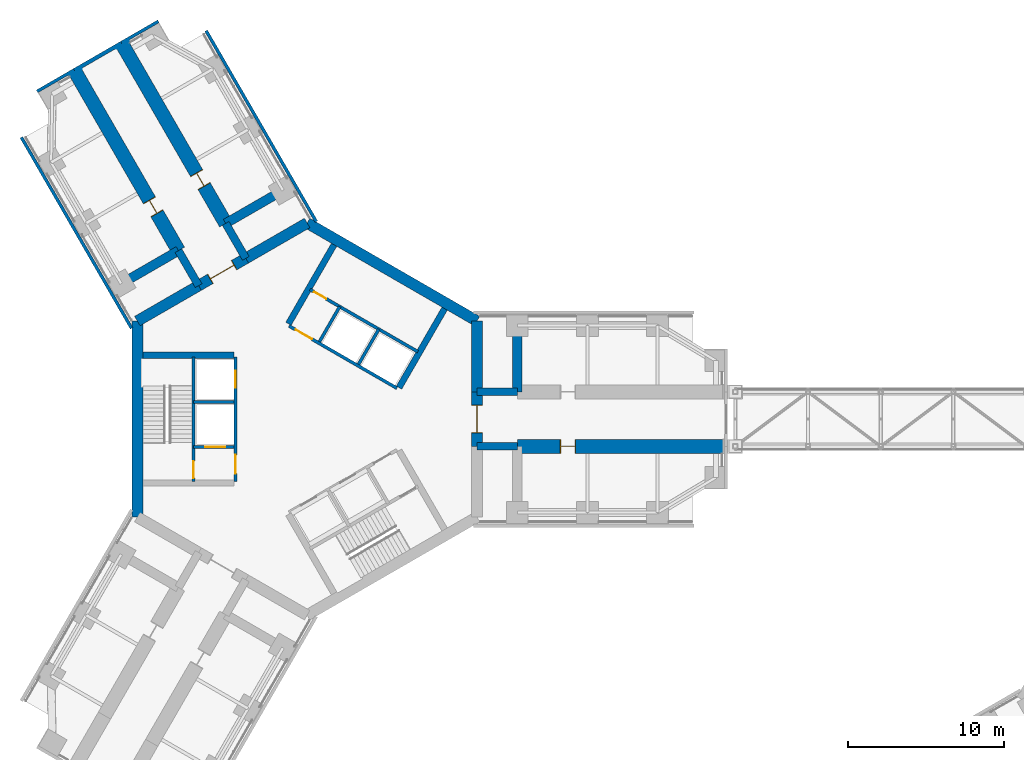
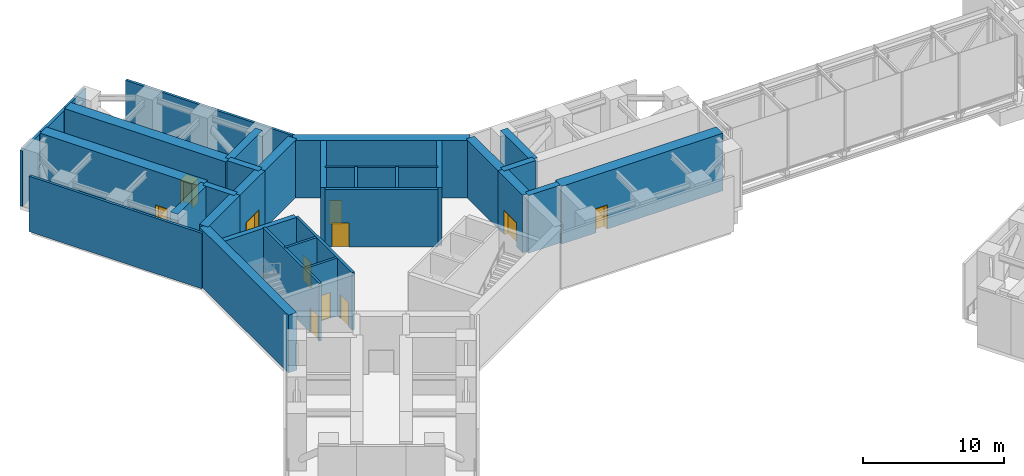
# One storey, part 9 of 17: 35 walls, 11 doors, 11 openings.
"""IFC4 building model written with IfcOpenShell, lengths in metres."""

from ifc_helpers import new_model, si_unit, direction, frame, frame_2d, origin, place, context, subcontext, project, spatial, rectangle, extrude, material, layer, layer_set, type_object, element, fill, save


model = new_model("IFC4")

# Units and contexts
model_context = context("Model", 3, precision=1e-05, world=origin(), true_north=direction((0.0, 1.0)))
body_context = subcontext(model_context, "Body", "Model", "MODEL_VIEW")
ifc_project = project(units=[si_unit("LENGTHUNIT", "METRE"), si_unit("AREAUNIT", "SQUARE_METRE"), si_unit("VOLUMEUNIT", "CUBIC_METRE"), si_unit("PLANEANGLEUNIT", "RADIAN"), si_unit("MASSUNIT", "GRAM", prefix="KILO")], contexts=[model_context])

# Site, building, storey
site_placement = place(None, origin())
site = spatial("IfcSite", under=ifc_project, at=site_placement, CompositionType="ELEMENT")
building_placement = place(site_placement, origin())
building = spatial("IfcBuilding", under=site, at=building_placement, Name="Upepo Twin Towers", CompositionType="ELEMENT")
storey_placement = place(building_placement, frame((0.0, 0.0, 92.5)))
storey = spatial("IfcBuildingStorey", under=building, at=storey_placement, Name="L22", CompositionType="ELEMENT", Elevation=92.5)

# Walls
ifc_material_1 = material(Name="Precast concrete breeze blocks", Category="concrete")
ifc_layer_1 = layer(ifc_material_1, 0.199951171875)
ifc_layer_set_1 = layer_set([ifc_layer_1], Name="Breeze-block screen wall 200")
wall_type_1 = type_object("IfcWallType", Name="Breeze-block screen wall 200", PredefinedType="USERDEFINED", material=ifc_layer_set_1)
for number, where, z_axis, x_axis, name in (
    (1, (-11.27587890625, 5.830322265625, 0.0), (0.0, 0.0, 1.0), (-0.49999353342, 0.866029137234, 0.0), "T1 L22 wing B screen L"),
    (2, (-6.49267578125, 24.94580078125, 0.0), (0.0, 0.0, 1.0), (0.49999353342, -0.866029137234, 0.0), "T1 L22 wing B screen R"),
):
    element("IfcWall", number, at=place(storey_placement, frame(where, z_axis=z_axis, x_axis=x_axis)), inside=storey, type_object=wall_type_1, Name=name, ObjectType="SCREEN", PredefinedType="USERDEFINED", context=body_context, shape_type="SweptSolid", body=[
        extrude(rectangle(XDim=14.162841796875, YDim=0.199951171875, at=frame_2d((7.08154296875, 0.0))), origin(), (0.0, 0.0, 1.0), 4.800048828125),
    ])
for number, where, z_axis, x_axis, name in (
    (3, (-9.552978515625, 25.546142578125, 0.0), (0.0, 0.0, 1.0), (-0.866027397988, -0.499996545922, 0.0), "T1 L22 wing B nose screen 0"),
    (4, (-14.965576171875, 22.421142578125, 0.0), (0.0, 0.0, 1.0), (-0.866027397988, -0.499996545922, 0.0), "T1 L22 wing B nose screen 2"),
):
    element("IfcWall", number, at=place(storey_placement, frame(where, z_axis=z_axis, x_axis=x_axis)), inside=storey, type_object=wall_type_1, Name=name, ObjectType="SCREEN", PredefinedType="USERDEFINED", context=body_context, shape_type="SweptSolid", body=[
        extrude(rectangle(XDim=2.75, YDim=0.199951171875, at=frame_2d((1.375, 0.0))), origin(), (0.0, 0.0, 1.0), 4.800048828125),
    ])
ifc_material_2 = material(Name="Dense concrete blockwork", Category="masonry")
ifc_layer_2 = layer(ifc_material_2, 0.89990234375)
ifc_layer_set_2 = layer_set([ifc_layer_2], Name="Buttress closer 900, blockwork with fire-stopping to the curtain wall")
wall_type_2 = type_object("IfcWallType", Name="Buttress closer 900, blockwork with fire-stopping to the curtain wall", PredefinedType="PARTITIONING", material=ifc_layer_set_2)
wall_1_placement = place(storey_placement, frame((-14.865478515625, 22.247802734375, 0.0), z_axis=(0.0, 0.0, 1.0), x_axis=(-0.500844580232, 0.86553723574, 0.0)))
element("IfcWall", 5, at=wall_1_placement, inside=storey, type_object=wall_type_2, Name="T1 L22 wing B buttress closer L", PredefinedType="PARTITIONING", context=body_context, shape_type="SweptSolid", body=[
    extrude(rectangle(XDim=0.05029296875, YDim=0.89990234375, at=frame_2d((0.025146484375, 0.0))), origin(), (0.0, 0.0, 1.0), 4.800048828125),
])
wall_2_placement = place(storey_placement, frame((-11.83447265625, 23.997802734375, 0.0), z_axis=(0.0, 0.0, 1.0), x_axis=(-0.497188445666, 0.867642581652, 0.0)))
element("IfcWall", 6, at=wall_2_placement, inside=storey, type_object=wall_type_2, Name="T1 L22 wing B buttress closer R", PredefinedType="PARTITIONING", context=body_context, shape_type="SweptSolid", body=[
    extrude(rectangle(XDim=0.050048828125, YDim=0.89990234375, at=frame_2d((0.02490234375, 0.0))), origin(), (0.0, 0.0, 1.0), 4.800048828125),
])
ifc_material_3 = material(Name="Concrete C60/75", Category="concrete")
ifc_layer_3 = layer(ifc_material_3, 0.5)
ifc_layer_set_3 = layer_set([ifc_layer_3], Name="Concrete C60/75")
wall_type_3 = type_object("IfcWallType", Name="Buttress wall 500 RC", PredefinedType="SHEAR", material=ifc_layer_set_3)
for number, where, z_axis, x_axis, name in (
    (7, (10.908447265625, 1.75, 0.0), (0.0, 0.0, 1.0), (1.0, 0.0, 0.0), "T1 wing A buttress wall L"),
    (8, (10.908447265625, -1.75, 0.0), (0.0, 0.0, 1.0), (1.0, 0.0, 0.0), "T1 wing A buttress wall R"),
):
    element("IfcWall", number, at=place(storey_placement, frame(where, z_axis=z_axis, x_axis=x_axis)), inside=storey, type_object=wall_type_3, Name=name, PredefinedType="SHEAR", context=body_context, shape_type="SweptSolid", body=[
        extrude(rectangle(XDim=2.591552734375, YDim=0.5, at=frame_2d((1.2958984375, 0.0))), origin(), (0.0, 0.0, 1.0), 5.0),
    ])
for number, where, z_axis, x_axis, name in (
    (9, (-6.9697265625, 8.57177734375, 0.0), (0.0, 0.0, 1.0), (-0.499988811324, 0.866031863473, 0.0), "T1 wing B buttress wall L"),
    (10, (-3.938720703125, 10.32177734375, 0.0), (0.0, 0.0, 1.0), (-0.499918158782, 0.866072649678, 0.0), "T1 wing B buttress wall R"),
):
    element("IfcWall", number, at=place(storey_placement, frame(where, z_axis=z_axis, x_axis=x_axis)), inside=storey, type_object=wall_type_3, Name=name, PredefinedType="SHEAR", context=body_context, shape_type="SweptSolid", body=[
        extrude(rectangle(XDim=2.591796875, YDim=0.5, at=frame_2d((1.2958984375, 0.0))), origin(), (0.0, 0.0, 1.0), 5.0),
    ])

# Wall, opening, door
ifc_material_4 = material(Name="Concrete C60/75", Category="concrete")
ifc_layer_4 = layer(ifc_material_4, 0.89990234375)
ifc_layer_set_4 = layer_set([ifc_layer_4], Name="Concrete C60/75")
wall_type_4 = type_object("IfcWallType", Name="Buttress wall 900 RC", PredefinedType="SHEAR", material=ifc_layer_set_4)
wall_3_placement = place(storey_placement, frame((13.5, -1.75, 0.0), z_axis=(0.0, 0.0, 1.0), x_axis=(1.0, 0.0, 0.0)))
wall_3 = element("IfcWall", 11, at=wall_3_placement, inside=storey, type_object=wall_type_4, Name="T1 wing A buttress wall R part 2", PredefinedType="SHEAR", context=body_context, shape_type="SweptSolid", body=[
    extrude(rectangle(XDim=13.199951171875, YDim=0.89990234375, at=frame_2d((6.60009765625, 0.0))), origin(), (0.0, 0.0, 1.0), 5.0),
])
opening_1_placement = place(wall_3_placement, frame((2.75, 0.0, 0.0)))
opening_1 = element("IfcOpeningElement", 12, at=opening_1_placement, cuts=wall_3, Name="Opening D1", PredefinedType="OPENING", context=body_context, shape_type="SweptSolid", body=[
    extrude(rectangle(XDim=1.0, YDim=2.10009765625, at=frame_2d((0.5, 1.050048828125))), frame((0.0, 0.4599609375, 0.0), z_axis=(0.0, -1.0, 0.0), x_axis=(1.0, 0.0, 0.0)), (0.0, 0.0, 1.0), 0.919921875),
])
ifc_material_5 = material(Name="Timber doorset", Category="wood")
door_type_1 = type_object("IfcDoorType", Name="Room door 1000 FD30", OperationType="SINGLE_SWING_LEFT", PredefinedType="DOOR", material=ifc_material_5)
door_1_placement = place(opening_1_placement, origin())
door_1 = element("IfcDoor", 13, at=door_1_placement, inside=storey, type_object=door_type_1, Name="T1 L22 air-handling plant room door", OperationType="SINGLE_SWING_LEFT", OverallHeight=2.10009765625, OverallWidth=1.0, PredefinedType="DOOR", context=body_context, shape_type="SweptSolid", body=[
    extrude(rectangle(XDim=0.92, YDim=2.06009765625, at=frame_2d((0.5, 1.030029296875))), frame((0.0, 0.02490234375, 0.0), z_axis=(0.0, -1.0, 0.0), x_axis=(1.0, 0.0, 0.0)), (0.0, 0.0, 1.0), 0.050048828125),
    extrude(rectangle(XDim=0.04, YDim=2.10009765625, at=frame_2d((0.02001953125, 1.050048828125))), frame((0.0, 0.44970703125, 0.0), z_axis=(0.0, -1.0, 0.0), x_axis=(1.0, 0.0, 0.0)), (0.0, 0.0, 1.0), 0.8994140625),
    extrude(rectangle(XDim=0.04, YDim=2.10009765625, at=frame_2d((0.97998046875, 1.050048828125))), frame((0.0, 0.44970703125, 0.0), z_axis=(0.0, -1.0, 0.0), x_axis=(1.0, 0.0, 0.0)), (0.0, 0.0, 1.0), 0.8994140625),
    extrude(rectangle(XDim=0.92, YDim=0.04, at=frame_2d((0.5, 2.080078125))), frame((0.0, 0.44970703125, 0.0), z_axis=(0.0, -1.0, 0.0), x_axis=(1.0, 0.0, 0.0)), (0.0, 0.0, 1.0), 0.8994140625),
])
fill(opening_1, door_1)

wall_4_placement = place(storey_placement, frame((-8.265625, 10.81640625, 0.0), z_axis=(0.0, 0.0, 1.0), x_axis=(-0.499996231654, 0.866027579429, 0.0)))
wall_4 = element("IfcWall", 14, at=wall_4_placement, inside=storey, type_object=wall_type_4, Name="T1 wing B buttress wall L part 2", PredefinedType="SHEAR", context=body_context, shape_type="SweptSolid", body=[
    extrude(rectangle(XDim=13.19970703125, YDim=0.89990234375, at=frame_2d((6.599853515625, 0.0))), origin(), (0.0, 0.0, 1.0), 5.0),
])
opening_2_placement = place(wall_4_placement, frame((2.75, 0.0, 0.0)))
opening_2 = element("IfcOpeningElement", 15, at=opening_2_placement, cuts=wall_4, Name="Opening D1", PredefinedType="OPENING", context=body_context, shape_type="SweptSolid", body=[
    extrude(rectangle(XDim=1.0, YDim=2.10009765625, at=frame_2d((0.5, 1.050048828125))), frame((0.0, 0.4599609375, 0.0), z_axis=(0.0, -1.0, 0.0), x_axis=(1.0, 0.0, 0.0)), (0.0, 0.0, 1.0), 0.919921875),
])
door_2_placement = place(opening_2_placement, origin())
door_2 = element("IfcDoor", 16, at=door_2_placement, inside=storey, type_object=door_type_1, Name="T1 L22 refuge area door", OperationType="SINGLE_SWING_LEFT", OverallHeight=2.10009765625, OverallWidth=1.0, PredefinedType="DOOR", context=body_context, shape_type="SweptSolid", body=[
    extrude(rectangle(XDim=0.92, YDim=2.06009765625, at=frame_2d((0.5, 1.030029296875))), frame((0.0, 0.02490234375, 0.0), z_axis=(0.0, -1.0, 0.0), x_axis=(1.0, 0.0, 0.0)), (0.0, 0.0, 1.0), 0.050048828125),
    extrude(rectangle(XDim=0.04, YDim=2.10009765625, at=frame_2d((0.02001953125, 1.050048828125))), frame((0.0, 0.44970703125, 0.0), z_axis=(0.0, -1.0, 0.0), x_axis=(1.0, 0.0, 0.0)), (0.0, 0.0, 1.0), 0.8994140625),
    extrude(rectangle(XDim=0.04, YDim=2.10009765625, at=frame_2d((0.97998046875, 1.050048828125))), frame((0.0, 0.44970703125, 0.0), z_axis=(0.0, -1.0, 0.0), x_axis=(1.0, 0.0, 0.0)), (0.0, 0.0, 1.0), 0.8994140625),
    extrude(rectangle(XDim=0.92, YDim=0.04, at=frame_2d((0.5, 2.080078125))), frame((0.0, 0.44970703125, 0.0), z_axis=(0.0, -1.0, 0.0), x_axis=(1.0, 0.0, 0.0)), (0.0, 0.0, 1.0), 0.8994140625),
])
fill(opening_2, door_2)

wall_5_placement = place(storey_placement, frame((-5.234375, 12.56640625, 0.0), z_axis=(0.0, 0.0, 1.0), x_axis=(-0.500010103361, 0.866019570528, 0.0)))
wall_5 = element("IfcWall", 17, at=wall_5_placement, inside=storey, type_object=wall_type_4, Name="T1 wing B buttress wall R part 2", PredefinedType="SHEAR", context=body_context, shape_type="SweptSolid", body=[
    extrude(rectangle(XDim=13.199951171875, YDim=0.89990234375, at=frame_2d((6.60009765625, 0.0))), origin(), (0.0, 0.0, 1.0), 5.0),
])
opening_3_placement = place(wall_5_placement, frame((2.75, 0.0, 0.0)))
opening_3 = element("IfcOpeningElement", 18, at=opening_3_placement, cuts=wall_5, Name="Opening D1", PredefinedType="OPENING", context=body_context, shape_type="SweptSolid", body=[
    extrude(rectangle(XDim=1.0, YDim=2.10009765625, at=frame_2d((0.5, 1.050048828125))), frame((0.0, 0.4599609375, 0.0), z_axis=(0.0, -1.0, 0.0), x_axis=(1.0, 0.0, 0.0)), (0.0, 0.0, 1.0), 0.919921875),
])
door_3_placement = place(opening_3_placement, origin())
door_3 = element("IfcDoor", 19, at=door_3_placement, inside=storey, type_object=door_type_1, Name="T1 L22 booster pump plant room door", OperationType="SINGLE_SWING_LEFT", OverallHeight=2.10009765625, OverallWidth=1.0, PredefinedType="DOOR", context=body_context, shape_type="SweptSolid", body=[
    extrude(rectangle(XDim=0.92, YDim=2.06009765625, at=frame_2d((0.5, 1.030029296875))), frame((0.0, 0.02490234375, 0.0), z_axis=(0.0, -1.0, 0.0), x_axis=(1.0, 0.0, 0.0)), (0.0, 0.0, 1.0), 0.050048828125),
    extrude(rectangle(XDim=0.04, YDim=2.10009765625, at=frame_2d((0.02001953125, 1.050048828125))), frame((0.0, 0.44970703125, 0.0), z_axis=(0.0, -1.0, 0.0), x_axis=(1.0, 0.0, 0.0)), (0.0, 0.0, 1.0), 0.8994140625),
    extrude(rectangle(XDim=0.04, YDim=2.10009765625, at=frame_2d((0.97998046875, 1.050048828125))), frame((0.0, 0.44970703125, 0.0), z_axis=(0.0, -1.0, 0.0), x_axis=(1.0, 0.0, 0.0)), (0.0, 0.0, 1.0), 0.8994140625),
    extrude(rectangle(XDim=0.92, YDim=0.04, at=frame_2d((0.5, 2.080078125))), frame((0.0, 0.44970703125, 0.0), z_axis=(0.0, -1.0, 0.0), x_axis=(1.0, 0.0, 0.0)), (0.0, 0.0, 1.0), 0.8994140625),
])
fill(opening_3, door_3)

ifc_material_6 = material(Name="Concrete C60/75", Category="concrete")
ifc_layer_5 = layer(ifc_material_6, 0.699951171875)
ifc_layer_set_5 = layer_set([ifc_layer_5], Name="Concrete C60/75")
wall_type_5 = type_object("IfcWallType", Name="Core wall 700 RC", PredefinedType="SHEAR", material=ifc_layer_set_5)
wall_6_placement = place(storey_placement, frame((10.908447265625, -1.75, 0.0), z_axis=(0.0, 0.0, 1.0), x_axis=(0.0, 1.0, 0.0)))
wall_6 = element("IfcWall", 20, at=wall_6_placement, inside=storey, type_object=wall_type_5, Name="T1 core wall 000", PredefinedType="SHEAR", context=body_context, shape_type="SweptSolid", body=[
    extrude(rectangle(XDim=3.5, YDim=0.699951171875, at=frame_2d((1.75, 0.0))), origin(), (0.0, 0.0, 1.0), 5.0),
])
opening_4_placement = place(wall_6_placement, frame((0.85009765625, 0.0, 0.0)))
opening_4 = element("IfcOpeningElement", 21, at=opening_4_placement, cuts=wall_6, Name="Opening D2", PredefinedType="OPENING", context=body_context, shape_type="SweptSolid", body=[
    extrude(rectangle(XDim=1.800048828125, YDim=2.10009765625, at=frame_2d((0.89990234375, 1.050048828125))), frame((0.0, 0.35986328125, 0.0), z_axis=(0.0, -1.0, 0.0), x_axis=(1.0, 0.0, 0.0)), (0.0, 0.0, 1.0), 0.719970703125),
])
ifc_material_7 = material(Name="Timber doorset", Category="wood")
door_type_2 = type_object("IfcDoorType", Name="Corridor double door 1800 FD60", OperationType="DOUBLE_DOOR_DOUBLE_SWING", PredefinedType="DOOR", material=ifc_material_7)
door_4_placement = place(opening_4_placement, origin())
door_4 = element("IfcDoor", 22, at=door_4_placement, inside=storey, type_object=door_type_2, Name="T1 L22 wing A corridor door", OperationType="DOUBLE_DOOR_DOUBLE_SWING", OverallHeight=2.10009765625, OverallWidth=1.800048828125, PredefinedType="DOOR", context=body_context, shape_type="SweptSolid", body=[
    extrude(rectangle(XDim=1.720048828125, YDim=2.06009765625, at=frame_2d((0.89990234375, 1.030029296875))), frame((0.0, 0.02490234375, 0.0), z_axis=(0.0, -1.0, 0.0), x_axis=(1.0, 0.0, 0.0)), (0.0, 0.0, 1.0), 0.050048828125),
    extrude(rectangle(XDim=0.04, YDim=2.10009765625, at=frame_2d((0.02001953125, 1.050048828125))), frame((0.0, 0.349609375, 0.0), z_axis=(0.0, -1.0, 0.0), x_axis=(1.0, 0.0, 0.0)), (0.0, 0.0, 1.0), 0.699462890625),
    extrude(rectangle(XDim=0.04, YDim=2.10009765625, at=frame_2d((1.780029296875, 1.050048828125))), frame((0.0, 0.349609375, 0.0), z_axis=(0.0, -1.0, 0.0), x_axis=(1.0, 0.0, 0.0)), (0.0, 0.0, 1.0), 0.699462890625),
    extrude(rectangle(XDim=1.720048828125, YDim=0.04, at=frame_2d((0.89990234375, 2.080078125))), frame((0.0, 0.349609375, 0.0), z_axis=(0.0, -1.0, 0.0), x_axis=(1.0, 0.0, 0.0)), (0.0, 0.0, 1.0), 0.699462890625),
])
fill(opening_4, door_4)

# Walls
wall_7_placement = place(storey_placement, frame((10.908447265625, 1.75, 0.0), z_axis=(0.0, 0.0, 1.0), x_axis=(0.0, 1.0, 0.0)))
element("IfcWall", 23, at=wall_7_placement, inside=storey, type_object=wall_type_5, Name="T1 core wall 000 L", PredefinedType="SHEAR", context=body_context, shape_type="SweptSolid", body=[
    extrude(rectangle(XDim=4.5478515625, YDim=0.699951171875, at=frame_2d((2.27392578125, 0.0))), origin(), (0.0, 0.0, 1.0), 5.0),
])
wall_8_placement = place(storey_placement, frame((10.908447265625, 6.2978515625, 0.0), z_axis=(0.0, 0.0, 1.0), x_axis=(-0.866021940709, 0.500005998175, 0.0)))
element("IfcWall", 24, at=wall_8_placement, inside=storey, type_object=wall_type_5, Name="T1 core wall 060", PredefinedType="SHEAR", context=body_context, shape_type="SweptSolid", body=[
    extrude(rectangle(XDim=12.595947265625, YDim=0.699951171875, at=frame_2d((6.2978515625, 0.0))), origin(), (0.0, 0.0, 1.0), 5.0),
])
wall_9_placement = place(storey_placement, frame((0.0, 12.595947265625, 0.0), z_axis=(0.0, 0.0, 1.0), x_axis=(-0.866011268655, -0.500024481964, 0.0)))
element("IfcWall", 25, at=wall_9_placement, inside=storey, type_object=wall_type_5, Name="T1 core wall 120 R", PredefinedType="SHEAR", context=body_context, shape_type="SweptSolid", body=[
    extrude(rectangle(XDim=4.548095703125, YDim=0.699951171875, at=frame_2d((2.27392578125, 0.0))), origin(), (0.0, 0.0, 1.0), 5.0),
])

# Wall, opening, door
wall_10_placement = place(storey_placement, frame((-3.938720703125, 10.32177734375, 0.0), z_axis=(0.0, 0.0, 1.0), x_axis=(-0.866019471182, -0.500010275428, 0.0)))
wall_10 = element("IfcWall", 26, at=wall_10_placement, inside=storey, type_object=wall_type_5, Name="T1 core wall 120", PredefinedType="SHEAR", context=body_context, shape_type="SweptSolid", body=[
    extrude(rectangle(XDim=3.5, YDim=0.699951171875, at=frame_2d((1.75, 0.0))), origin(), (0.0, 0.0, 1.0), 5.0),
])
opening_5_placement = place(wall_10_placement, frame((0.85009765625, 0.0, 0.0)))
opening_5 = element("IfcOpeningElement", 27, at=opening_5_placement, cuts=wall_10, Name="Opening D2", PredefinedType="OPENING", context=body_context, shape_type="SweptSolid", body=[
    extrude(rectangle(XDim=1.800048828125, YDim=2.10009765625, at=frame_2d((0.89990234375, 1.050048828125))), frame((0.0, 0.35986328125, 0.0), z_axis=(0.0, -1.0, 0.0), x_axis=(1.0, 0.0, 0.0)), (0.0, 0.0, 1.0), 0.719970703125),
])
door_5_placement = place(opening_5_placement, origin())
door_5 = element("IfcDoor", 28, at=door_5_placement, inside=storey, type_object=door_type_2, Name="T1 L22 wing B corridor door", OperationType="DOUBLE_DOOR_DOUBLE_SWING", OverallHeight=2.10009765625, OverallWidth=1.800048828125, PredefinedType="DOOR", context=body_context, shape_type="SweptSolid", body=[
    extrude(rectangle(XDim=1.720048828125, YDim=2.06009765625, at=frame_2d((0.89990234375, 1.030029296875))), frame((0.0, 0.02490234375, 0.0), z_axis=(0.0, -1.0, 0.0), x_axis=(1.0, 0.0, 0.0)), (0.0, 0.0, 1.0), 0.050048828125),
    extrude(rectangle(XDim=0.04, YDim=2.10009765625, at=frame_2d((0.02001953125, 1.050048828125))), frame((0.0, 0.349609375, 0.0), z_axis=(0.0, -1.0, 0.0), x_axis=(1.0, 0.0, 0.0)), (0.0, 0.0, 1.0), 0.699462890625),
    extrude(rectangle(XDim=0.04, YDim=2.10009765625, at=frame_2d((1.780029296875, 1.050048828125))), frame((0.0, 0.349609375, 0.0), z_axis=(0.0, -1.0, 0.0), x_axis=(1.0, 0.0, 0.0)), (0.0, 0.0, 1.0), 0.699462890625),
    extrude(rectangle(XDim=1.720048828125, YDim=0.04, at=frame_2d((0.89990234375, 2.080078125))), frame((0.0, 0.349609375, 0.0), z_axis=(0.0, -1.0, 0.0), x_axis=(1.0, 0.0, 0.0)), (0.0, 0.0, 1.0), 0.699462890625),
])
fill(opening_5, door_5)

# Walls
wall_11_placement = place(storey_placement, frame((-6.9697265625, 8.57177734375, 0.0), z_axis=(0.0, 0.0, 1.0), x_axis=(-0.866034513004, -0.499984222037, 0.0)))
element("IfcWall", 29, at=wall_11_placement, inside=storey, type_object=wall_type_5, Name="T1 core wall 120 L", PredefinedType="SHEAR", context=body_context, shape_type="SweptSolid", body=[
    extrude(rectangle(XDim=4.548095703125, YDim=0.699951171875, at=frame_2d((2.27392578125, 0.0))), origin(), (0.0, 0.0, 1.0), 5.0),
])
wall_12_placement = place(storey_placement, frame((-10.908447265625, 6.2978515625, 0.0), z_axis=(0.0, 0.0, 1.0), x_axis=(0.0, -1.0, 0.0)))
element("IfcWall", 30, at=wall_12_placement, inside=storey, type_object=wall_type_5, Name="T1 core wall 180", PredefinedType="SHEAR", context=body_context, shape_type="SweptSolid", body=[
    extrude(rectangle(XDim=12.595703125, YDim=0.699951171875, at=frame_2d((6.2978515625, 0.0))), origin(), (0.0, 0.0, 1.0), 5.0),
])
ifc_material_8 = material(Name="Blockwork with anodised aluminium cladding", Category="masonry")
ifc_layer_6 = layer(ifc_material_8, 0.25)
ifc_layer_set_6 = layer_set([ifc_layer_6], Name="Notch cladding wall 250, pale metal")
wall_type_6 = type_object("IfcWallType", Name="Notch cladding wall 250, pale metal", PredefinedType="STANDARD", material=ifc_layer_set_6)
wall_13_placement = place(storey_placement, frame((-11.921875, 24.1494140625, 0.0), z_axis=(0.0, 0.0, 1.0), x_axis=(-0.866036909293, -0.499980071345, 0.0)))
element("IfcWall", 31, at=wall_13_placement, inside=storey, type_object=wall_type_6, Name="T1 L22 wing B nose wall", PredefinedType="STANDARD", context=body_context, shape_type="SweptSolid", body=[
    extrude(rectangle(XDim=3.500244140625, YDim=0.25, at=frame_2d((1.75, 0.0))), origin(), (0.0, 0.0, 1.0), 4.800048828125),
])
ifc_material_9 = material(Name="Concrete C60/75", Category="concrete")
ifc_layer_7 = layer(ifc_material_9, 0.60009765625)
ifc_layer_set_7 = layer_set([ifc_layer_7], Name="Concrete C60/75")
wall_type_7 = type_object("IfcWallType", Name="Outrigger wall 600 RC", PredefinedType="SHEAR", material=ifc_layer_set_7)
wall_14_placement = place(storey_placement, frame((13.5, 1.75, 0.0), z_axis=(0.0, 0.0, 1.0), x_axis=(0.0, 1.0, 0.0)))
element("IfcWall", 32, at=wall_14_placement, inside=storey, type_object=wall_type_7, Name="T1 outrigger wall AL", PredefinedType="SHEAR", context=body_context, shape_type="SweptSolid", body=[
    extrude(rectangle(XDim=4.25, YDim=0.60009765625, at=frame_2d((2.125, 0.0))), origin(), (0.0, 0.0, 1.0), 5.0),
])
for number, where, z_axis, x_axis, name in (
    (33, (-8.265625, 10.81640625, 0.0), (0.0, 0.0, 1.0), (-0.866014341725, -0.50001915956, 0.0), "T1 outrigger wall BL"),
    (34, (-5.234375, 12.56640625, 0.0), (0.0, 0.0, 1.0), (0.866014341725, 0.50001915956, 0.0), "T1 outrigger wall BR"),
):
    element("IfcWall", number, at=place(storey_placement, frame(where, z_axis=z_axis, x_axis=x_axis)), inside=storey, type_object=wall_type_7, Name=name, PredefinedType="SHEAR", context=body_context, shape_type="SweptSolid", body=[
        extrude(rectangle(XDim=4.249755859375, YDim=0.60009765625, at=frame_2d((2.125, 0.0))), origin(), (0.0, 0.0, 1.0), 5.0),
    ])

# Wall, opening, door
ifc_material_10 = material(Name="Concrete C40/50", Category="concrete")
ifc_layer_8 = layer(ifc_material_10, 0.199951171875)
ifc_layer_set_8 = layer_set([ifc_layer_8], Name="Concrete C40/50")
wall_type_8 = type_object("IfcWallType", Name="Shaft wall 200 RC", PredefinedType="SHEAR", material=ifc_layer_set_8)
wall_15_placement = place(storey_placement, frame((5.76416015625, 1.983642578125, 0.0), z_axis=(0.0, 0.0, 1.0), x_axis=(-0.866026010844, 0.49999894854, 0.0)))
wall_15 = element("IfcWall", 35, at=wall_15_placement, inside=storey, type_object=wall_type_8, Name="T1 core W60 front wall", PredefinedType="SHEAR", context=body_context, shape_type="SweptSolid", body=[
    extrude(rectangle(XDim=8.0, YDim=0.199951171875, at=frame_2d((4.0, 0.0))), origin(), (0.0, 0.0, 1.0), 5.0),
])
opening_6_placement = place(wall_15_placement, frame((6.300048828125, 0.0, 0.0)))
opening_6 = element("IfcOpeningElement", 36, at=opening_6_placement, cuts=wall_15, Name="Opening D4", PredefinedType="OPENING", context=body_context, shape_type="SweptSolid", body=[
    extrude(rectangle(XDim=1.199951171875, YDim=2.10009765625, at=frame_2d((0.60009765625, 1.050048828125))), frame((0.0, 0.10986328125, 0.0), z_axis=(0.0, -1.0, 0.0), x_axis=(1.0, 0.0, 0.0)), (0.0, 0.0, 1.0), 0.219970703125),
])
ifc_material_11 = material(Name="Timber doorset", Category="wood")
door_type_3 = type_object("IfcDoorType", Name="Lobby door 1200 FD60", OperationType="SINGLE_SWING_LEFT", PredefinedType="DOOR", material=ifc_material_11)
door_6_placement = place(opening_6_placement, origin())
door_6 = element("IfcDoor", 37, at=door_6_placement, inside=storey, type_object=door_type_3, Name="T1 L22 W60 lobby door", OperationType="SINGLE_SWING_RIGHT", OverallHeight=2.10009765625, OverallWidth=1.199951171875, PredefinedType="DOOR", context=body_context, shape_type="SweptSolid", body=[
    extrude(rectangle(XDim=1.199951171875, YDim=2.10009765625, at=frame_2d((0.60009765625, 1.050048828125))), frame((0.0, 0.02490234375, 0.0), z_axis=(0.0, -1.0, 0.0), x_axis=(1.0, 0.0, 0.0)), (0.0, 0.0, 1.0), 0.050048828125),
])
fill(opening_6, door_6)

# Walls
for number, where, z_axis, x_axis, name in (
    (38, (3.302734375, 3.520263671875, 0.0), (0.0, 0.0, 1.0), (0.499936506574, 0.866062058628, 0.0), "T1 core W60 shaft divider"),
    (39, (0.791259765625, 4.97021484375, 0.0), (0.0, 0.0, 1.0), (0.499936506574, 0.866062058628, 0.0), "T1 core W60 lobby wall"),
):
    element("IfcWall", number, at=place(storey_placement, frame(where, z_axis=z_axis, x_axis=x_axis)), inside=storey, type_object=wall_type_8, Name=name, PredefinedType="SHEAR", context=body_context, shape_type="SweptSolid", body=[
        extrude(rectangle(XDim=2.599853515625, YDim=0.199951171875, at=frame_2d((1.2998046875, 0.0))), origin(), (0.0, 0.0, 1.0), 5.0),
    ])

# Wall, opening, door
wall_16_placement = place(storey_placement, frame((7.114013671875, 4.322021484375, 0.0), z_axis=(0.0, 0.0, 1.0), x_axis=(-0.866026010844, 0.49999894854, 0.0)))
wall_16 = element("IfcWall", 40, at=wall_16_placement, inside=storey, type_object=wall_type_8, Name="T1 core W60 stair wall", PredefinedType="SHEAR", context=body_context, shape_type="SweptSolid", body=[
    extrude(rectangle(XDim=8.0, YDim=0.199951171875, at=frame_2d((4.0, 0.0))), origin(), (0.0, 0.0, 1.0), 5.0),
])
opening_7_placement = place(wall_16_placement, frame((6.800048828125, 0.0, 0.0)))
opening_7 = element("IfcOpeningElement", 41, at=opening_7_placement, cuts=wall_16, Name="Opening D9", PredefinedType="OPENING", context=body_context, shape_type="SweptSolid", body=[
    extrude(rectangle(XDim=0.89990234375, YDim=2.10009765625, at=frame_2d((0.449951171875, 1.050048828125))), frame((0.0, 0.10986328125, 0.0), z_axis=(0.0, -1.0, 0.0), x_axis=(1.0, 0.0, 0.0)), (0.0, 0.0, 1.0), 0.219970703125),
])
ifc_material_12 = material(Name="Timber doorset", Category="wood")
door_type_4 = type_object("IfcDoorType", Name="Riser door 900 FD60", OperationType="SINGLE_SWING_LEFT", PredefinedType="DOOR", material=ifc_material_12)
door_7_placement = place(opening_7_placement, origin())
door_7 = element("IfcDoor", 42, at=door_7_placement, inside=storey, type_object=door_type_4, Name="T1 L22 riser door", OperationType="SINGLE_SWING_RIGHT", OverallHeight=2.10009765625, OverallWidth=0.89990234375, PredefinedType="DOOR", context=body_context, shape_type="SweptSolid", body=[
    extrude(rectangle(XDim=0.89990234375, YDim=2.10009765625, at=frame_2d((0.449951171875, 1.050048828125))), frame((0.0, 0.02490234375, 0.0), z_axis=(0.0, -1.0, 0.0), x_axis=(1.0, 0.0, 0.0)), (0.0, 0.0, 1.0), 0.050048828125),
])
fill(opening_7, door_7)

# Wall, openings, doors
wall_17_placement = place(storey_placement, frame((-4.60009765625, 4.0, 0.0), z_axis=(0.0, 0.0, 1.0), x_axis=(0.0, -1.0, 0.0)))
wall_17 = element("IfcWall", 43, at=wall_17_placement, inside=storey, type_object=wall_type_8, Name="T1 core W180 front wall", PredefinedType="SHEAR", context=body_context, shape_type="SweptSolid", body=[
    extrude(rectangle(XDim=8.0, YDim=0.199951171875, at=frame_2d((4.0, 0.0))), origin(), (0.0, 0.0, 1.0), 5.0),
])
opening_8_placement = place(wall_17_placement, frame((6.300048828125, 0.0, 0.0)))
opening_8 = element("IfcOpeningElement", 44, at=opening_8_placement, cuts=wall_17, Name="Opening D4", PredefinedType="OPENING", context=body_context, shape_type="SweptSolid", body=[
    extrude(rectangle(XDim=1.199951171875, YDim=2.10009765625, at=frame_2d((0.60009765625, 1.050048828125))), frame((0.0, 0.10986328125, 0.0), z_axis=(0.0, -1.0, 0.0), x_axis=(1.0, 0.0, 0.0)), (0.0, 0.0, 1.0), 0.219970703125),
])
opening_9_placement = place(wall_17_placement, frame((0.89990234375, 0.0, 0.0)))
opening_9 = element("IfcOpeningElement", 45, at=opening_9_placement, cuts=wall_17, Name="Opening LD1", PredefinedType="OPENING", context=body_context, shape_type="SweptSolid", body=[
    extrude(rectangle(XDim=1.10009765625, YDim=2.199951171875, at=frame_2d((0.550048828125, 1.10009765625))), frame((0.0, 0.10986328125, 0.0), z_axis=(0.0, -1.0, 0.0), x_axis=(1.0, 0.0, 0.0)), (0.0, 0.0, 1.0), 0.219970703125),
])
ifc_material_13 = material(Name="Steel doorset", Category="steel")
door_type_5 = type_object("IfcDoorType", Name="Lift landing door 1100", OperationType="DOUBLE_DOOR_SLIDING", PredefinedType="DOOR", material=ifc_material_13)
door_8_placement = place(opening_9_placement, origin())
door_8 = element("IfcDoor", 46, at=door_8_placement, inside=storey, type_object=door_type_5, Name="T1 L22 lift SV1 landing door", OperationType="DOUBLE_DOOR_SLIDING", OverallHeight=2.199951171875, OverallWidth=1.10009765625, PredefinedType="DOOR", context=body_context, shape_type="SweptSolid", body=[
    extrude(rectangle(XDim=1.10009765625, YDim=2.199951171875, at=frame_2d((0.550048828125, 1.10009765625))), frame((0.0, 0.02490234375, 0.0), z_axis=(0.0, -1.0, 0.0), x_axis=(1.0, 0.0, 0.0)), (0.0, 0.0, 1.0), 0.050048828125),
])
fill(opening_9, door_8)
door_9_placement = place(opening_8_placement, origin())
door_9 = element("IfcDoor", 47, at=door_9_placement, inside=storey, type_object=door_type_3, Name="T1 L22 W180 lobby door", OperationType="SINGLE_SWING_RIGHT", OverallHeight=2.10009765625, OverallWidth=1.199951171875, PredefinedType="DOOR", context=body_context, shape_type="SweptSolid", body=[
    extrude(rectangle(XDim=1.199951171875, YDim=2.10009765625, at=frame_2d((0.60009765625, 1.050048828125))), frame((0.0, 0.02490234375, 0.0), z_axis=(0.0, -1.0, 0.0), x_axis=(1.0, 0.0, 0.0)), (0.0, 0.0, 1.0), 0.050048828125),
])
fill(opening_8, door_9)

# Wall
wall_18_placement = place(storey_placement, frame((-4.699951171875, 1.10009765625, 0.0), z_axis=(0.0, 0.0, 1.0), x_axis=(-1.0, 0.0, 0.0)))
element("IfcWall", 48, at=wall_18_placement, inside=storey, type_object=wall_type_8, Name="T1 core W180 shaft divider", PredefinedType="SHEAR", context=body_context, shape_type="SweptSolid", body=[
    extrude(rectangle(XDim=2.60009765625, YDim=0.199951171875, at=frame_2d((1.300048828125, 0.0))), origin(), (0.0, 0.0, 1.0), 5.0),
])

# Wall, opening, door
wall_19_placement = place(storey_placement, frame((-4.699951171875, -1.800048828125, 0.0), z_axis=(0.0, 0.0, 1.0), x_axis=(-1.0, 0.0, 0.0)))
wall_19 = element("IfcWall", 49, at=wall_19_placement, inside=storey, type_object=wall_type_8, Name="T1 core W180 lobby wall", PredefinedType="SHEAR", context=body_context, shape_type="SweptSolid", body=[
    extrude(rectangle(XDim=2.60009765625, YDim=0.199951171875, at=frame_2d((1.300048828125, 0.0))), origin(), (0.0, 0.0, 1.0), 5.0),
])
opening_10_placement = place(wall_19_placement, frame((0.550048828125, 0.0, 0.0)))
opening_10 = element("IfcOpeningElement", 50, at=opening_10_placement, cuts=wall_19, Name="Opening LD2", PredefinedType="OPENING", context=body_context, shape_type="SweptSolid", body=[
    extrude(rectangle(XDim=1.300048828125, YDim=2.199951171875, at=frame_2d((0.64990234375, 1.10009765625))), frame((0.0, 0.10986328125, 0.0), z_axis=(0.0, -1.0, 0.0), x_axis=(1.0, 0.0, 0.0)), (0.0, 0.0, 1.0), 0.219970703125),
])
ifc_material_14 = material(Name="Steel doorset", Category="steel")
door_type_6 = type_object("IfcDoorType", Name="Firefighting lift landing door 1300", OperationType="DOUBLE_DOOR_SLIDING", PredefinedType="DOOR", material=ifc_material_14)
door_10_placement = place(opening_10_placement, origin())
door_10 = element("IfcDoor", 51, at=door_10_placement, inside=storey, type_object=door_type_6, Name="T1 L22 firefighting lift landing door", OperationType="DOUBLE_DOOR_SLIDING", OverallHeight=2.199951171875, OverallWidth=1.300048828125, PredefinedType="DOOR", context=body_context, shape_type="SweptSolid", body=[
    extrude(rectangle(XDim=1.300048828125, YDim=2.199951171875, at=frame_2d((0.64990234375, 1.10009765625))), frame((0.0, 0.02490234375, 0.0), z_axis=(0.0, -1.0, 0.0), x_axis=(1.0, 0.0, 0.0)), (0.0, 0.0, 1.0), 0.050048828125),
])
fill(opening_10, door_10)

wall_20_placement = place(storey_placement, frame((-7.300048828125, 4.0, 0.0), z_axis=(0.0, 0.0, 1.0), x_axis=(0.0, -1.0, 0.0)))
wall_20 = element("IfcWall", 52, at=wall_20_placement, inside=storey, type_object=wall_type_8, Name="T1 core W180 stair wall", PredefinedType="SHEAR", context=body_context, shape_type="SweptSolid", body=[
    extrude(rectangle(XDim=8.0, YDim=0.199951171875, at=frame_2d((4.0, 0.0))), origin(), (0.0, 0.0, 1.0), 5.0),
])
opening_11_placement = place(wall_20_placement, frame((6.699951171875, 0.0, 0.0)))
opening_11 = element("IfcOpeningElement", 53, at=opening_11_placement, cuts=wall_20, Name="Opening D3", PredefinedType="OPENING", context=body_context, shape_type="SweptSolid", body=[
    extrude(rectangle(XDim=1.10009765625, YDim=2.10009765625, at=frame_2d((0.550048828125, 1.050048828125))), frame((0.0, 0.10986328125, 0.0), z_axis=(0.0, -1.0, 0.0), x_axis=(1.0, 0.0, 0.0)), (0.0, 0.0, 1.0), 0.219970703125),
])
ifc_material_15 = material(Name="Timber doorset", Category="wood")
door_type_7 = type_object("IfcDoorType", Name="Stair door 1100 FD60", OperationType="SINGLE_SWING_LEFT", PredefinedType="DOOR", material=ifc_material_15)
door_11_placement = place(opening_11_placement, origin())
door_11 = element("IfcDoor", 54, at=door_11_placement, inside=storey, type_object=door_type_7, Name="T1 L22 stair door", OperationType="SINGLE_SWING_RIGHT", OverallHeight=2.10009765625, OverallWidth=1.10009765625, PredefinedType="DOOR", context=body_context, shape_type="SweptSolid", body=[
    extrude(rectangle(XDim=1.10009765625, YDim=2.10009765625, at=frame_2d((0.550048828125, 1.050048828125))), frame((0.0, 0.02490234375, 0.0), z_axis=(0.0, -1.0, 0.0), x_axis=(1.0, 0.0, 0.0)), (0.0, 0.0, 1.0), 0.050048828125),
])
fill(opening_11, door_11)

# Walls
ifc_material_16 = material(Name="Concrete C40/50", Category="concrete")
ifc_layer_9 = layer(ifc_material_16, 0.39990234375)
ifc_layer_set_9 = layer_set([ifc_layer_9], Name="Concrete C40/50")
wall_type_9 = type_object("IfcWallType", Name="Shaft wall 400 RC", PredefinedType="SHEAR", material=ifc_layer_set_9)
for number, where, z_axis, x_axis, name in (
    (55, (-1.20068359375, 6.120361328125, 0.0), (0.0, 0.0, 1.0), (0.500002627198, 0.866023886965, 0.0), "T1 core W60 side wall N"),
    (56, (5.900634765625, 2.020263671875, 0.0), (0.0, 0.0, 1.0), (0.500002627198, 0.866023886965, 0.0), "T1 core W60 side wall S"),
    (57, (-4.699951171875, 4.10009765625, 0.0), (0.0, 0.0, 1.0), (-1.0, 0.0, 0.0), "T1 core W180 side wall S"),
):
    element("IfcWall", number, at=place(storey_placement, frame(where, z_axis=z_axis, x_axis=x_axis)), inside=storey, type_object=wall_type_9, Name=name, PredefinedType="SHEAR", context=body_context, shape_type="SweptSolid", body=[
        extrude(rectangle(XDim=5.8583984375, YDim=0.39990234375, at=frame_2d((2.92919921875, 0.0))), origin(), (0.0, 0.0, 1.0), 5.0),
    ])

save(model, "model.ifc")
